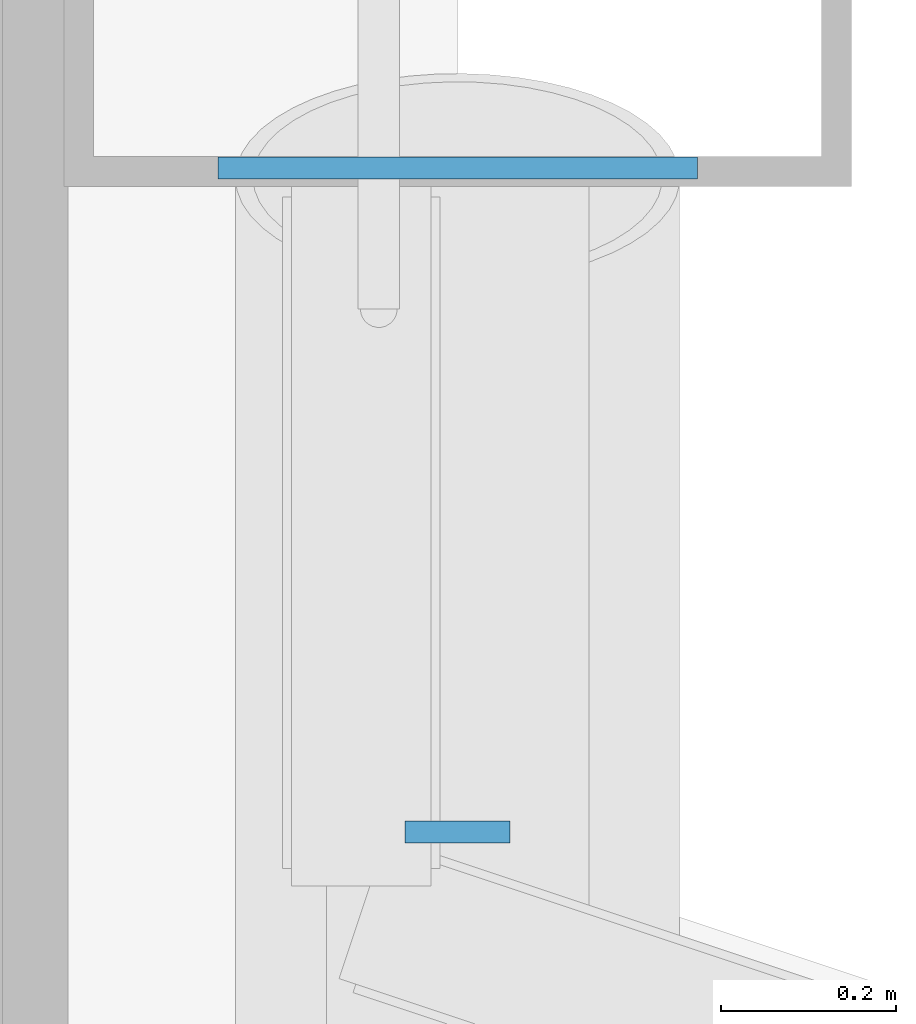
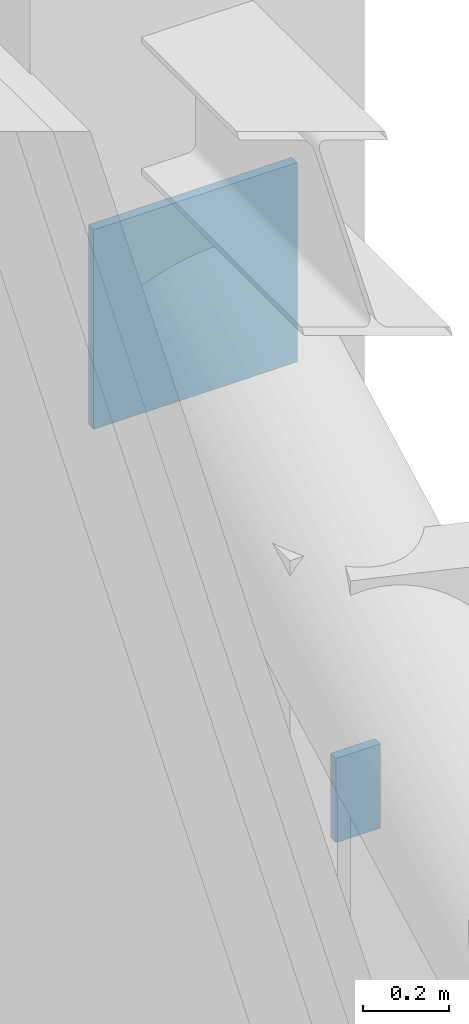
# One storey, part 11 of 19: 2 plates.
"""IFC4 building model written with IfcOpenShell, lengths in metres."""

import ifcopenshell
import ifcopenshell.guid

model = None  # the IFC model being written
_history = None  # IfcOwnerHistory: only IFC2X3 demands one
_inside = {}  # id of a spatial element -> (the spatial element, [elements in it])
_under = {}  # id of a project, library or spatial element -> (it, [spatial elements below it])
_declared = {}  # id of a project -> (the project, [libraries it declares])
_typed = {}  # id of a type object -> (the type object, [elements of that type])
_made_of = {}  # id of a material, layer set ... -> (it, [elements and type objects made of it])


def new_model(schema):
    """Start an empty IFC model of exactly this schema.

    Asked for "IFC4X3", IfcOpenShell would pick the latest addendum, in which some entities
    have other attributes; the version numbers below select the first issue.
    IFC2X3 requires an IfcOwnerHistory on every rooted entity: one is made here for all.
    """
    global model, _history
    if schema == "IFC4X3":
        model = ifcopenshell.file(schema_version=(4, 3, 0, 0))
    else:
        model = ifcopenshell.file(schema=schema)
    _inside.clear()
    _under.clear()
    _declared.clear()
    _typed.clear()
    _made_of.clear()
    _history = None
    if model.schema == "IFC2X3":
        org = make("IfcOrganization", Name="unknown")
        user = make(
            "IfcPersonAndOrganization",
            ThePerson=make("IfcPerson", FamilyName="unknown"),
            TheOrganization=org,
        )
        app = make(
            "IfcApplication",
            ApplicationDeveloper=org,
            Version="unknown",
            ApplicationFullName="unknown",
            ApplicationIdentifier="unknown",
        )
        _history = make(
            "IfcOwnerHistory",
            OwningUser=user,
            OwningApplication=app,
            ChangeAction="ADDED",
            CreationDate=0,
        )
    return model


def make(cls, **values):
    """One entity of the class cls with the attributes given. An attribute that is None is left unset."""
    return model.create_entity(
        cls, **{name: value for name, value in values.items() if value is not None}
    )


def rooted(cls, **values):
    """An entity with a GlobalId (a new one), such as an element, a storey or a relation."""
    return make(cls, GlobalId=ifcopenshell.guid.new(), OwnerHistory=_history, **values)


def si_unit(unit_type, name, prefix=None):
    """IfcSIUnit, for example si_unit("LENGTHUNIT", "METRE", prefix="MILLI")."""
    return make("IfcSIUnit", UnitType=unit_type, Prefix=prefix, Name=name)


def assignment(units):
    """IfcUnitAssignment: the units of a project."""
    return None if units is None else make("IfcUnitAssignment", Units=units)


def point(xyz):
    """IfcCartesianPoint."""
    return None if xyz is None else make("IfcCartesianPoint", Coordinates=xyz)


def direction(xyz):
    """IfcDirection."""
    return None if xyz is None else make("IfcDirection", DirectionRatios=xyz)


def frame(location, z_axis=None, x_axis=None):
    """IfcAxis2Placement3D, a coordinate frame: its origin and axes. An axis left out is left unset."""
    return make(
        "IfcAxis2Placement3D",
        Location=point(location),
        Axis=direction(z_axis),
        RefDirection=direction(x_axis),
    )


def frame_2d(location, x_axis=None):
    """IfcAxis2Placement2D, a coordinate frame in the plane: its origin and x axis."""
    return make(
        "IfcAxis2Placement2D", Location=point(location), RefDirection=direction(x_axis)
    )


def origin():
    """The frame at (0, 0, 0) with its axes left unset."""
    return frame((0.0, 0.0, 0.0))


def origin_2d():
    """The frame at (0, 0) in the plane with its x axis left unset."""
    return frame_2d((0.0, 0.0))


def place(relative_to, where):
    """IfcLocalPlacement: puts the frame where relative to a parent placement (None: the world)."""
    return make(
        "IfcLocalPlacement", PlacementRelTo=relative_to, RelativePlacement=where
    )


def context(
    kind, dimensions, precision=None, world=None, true_north=None, identifier=None
):
    """IfcGeometricRepresentationContext, for example the 3D "Model" context."""
    return make(
        "IfcGeometricRepresentationContext",
        ContextIdentifier=identifier,
        ContextType=kind,
        CoordinateSpaceDimension=dimensions,
        Precision=precision,
        WorldCoordinateSystem=world,
        TrueNorth=true_north,
    )


def subcontext(parent, identifier, kind, view, scale=None):
    """IfcGeometricRepresentationSubContext, for example "Body" below "Model"."""
    return make(
        "IfcGeometricRepresentationSubContext",
        ContextIdentifier=identifier,
        ContextType=kind,
        ParentContext=parent,
        TargetScale=scale,
        TargetView=view,
    )


def project(units=None, contexts=None):
    """IfcProject with its units and contexts."""
    return rooted(
        "IfcProject",
        Name="project",
        RepresentationContexts=contexts,
        UnitsInContext=assignment(units),
    )


def spatial(cls, under=None, at=None, **own):
    """A site, building, storey or space (cls), placed at a placement, below another one or the project."""
    s = rooted(cls, ObjectPlacement=at, **own)
    if under is not None:
        _under.setdefault(under.id(), (under, []))[1].append(s)
    return s


def profile(cls, at=None, kind="AREA", **sizes):
    """A parametric profile (cls). Its sizes go by their IFC names, for example OverallWidth=200.0."""
    return make(cls, ProfileType=kind, Position=at, **sizes)


def rectangle(**sizes):
    """IfcRectangleProfileDef."""
    return profile("IfcRectangleProfileDef", **sizes)


def extrude(swept, where, along, depth):
    """IfcExtrudedAreaSolid: the profile swept, set in the frame where, extruded along a direction by depth."""
    return make(
        "IfcExtrudedAreaSolid",
        SweptArea=swept,
        Position=where,
        ExtrudedDirection=direction(along),
        Depth=depth,
    )


def shape(context_of_items, identifier, shape_type, items):
    """IfcShapeRepresentation: the items that make up one representation, for example the "Body"."""
    return make(
        "IfcShapeRepresentation",
        ContextOfItems=context_of_items,
        RepresentationIdentifier=identifier,
        RepresentationType=shape_type,
        Items=items,
    )


def material(Name=None, Category=None):
    """IfcMaterial."""
    return make("IfcMaterial", Name=Name, Category=Category)


def layer(
    of_material, thickness, ventilated=None, Name=None, Category=None, Priority=None
):
    """IfcMaterialLayer: one layer of a wall or slab, of a material (None: an air gap)."""
    return make(
        "IfcMaterialLayer",
        Material=of_material,
        LayerThickness=thickness,
        IsVentilated=ventilated,
        Name=Name,
        Category=Category,
        Priority=Priority,
    )


def layer_set(layers, Name=None):
    """IfcMaterialLayerSet."""
    return make("IfcMaterialLayerSet", MaterialLayers=layers, LayerSetName=Name)


def made_of(thing, what):
    """Note that an element or type object is made of a material, layer set ...; save() writes the relation."""
    if what is not None:
        _made_of.setdefault(what.id(), (what, []))[1].append(thing)
    return thing


def type_object(cls, material=None, **own):
    """A type object (cls), such as IfcWallType, which elements share."""
    return made_of(rooted(cls, **own), material)


def element(
    cls,
    number,
    at=None,
    inside=None,
    cuts=None,
    type_object=None,
    material=None,
    context=None,
    identifier="Body",
    shape_type=None,
    held_by="IfcProductDefinitionShape",
    body=None,
    shapes=None,
    **own,
):
    """One element of the class cls, such as IfcWall. Its Tag is "e" and its number.

    at: its placement. inside: the storey or other place that contains it. cuts: it is an
    opening in that element (IfcRelVoidsElement). A single representation is given by context,
    identifier, shape_type and body (its items); several are given by shapes. held_by: the class
    of the entity that holds the representations. save() writes the other relations.
    """
    e = rooted(cls, Tag="e%d" % number, ObjectPlacement=at, **own)
    if body is not None:
        shapes = [shape(context, identifier, shape_type, body)]
    if shapes is not None:
        e.Representation = make(held_by, Representations=shapes)
    if inside is not None:
        _inside.setdefault(inside.id(), (inside, []))[1].append(e)
    if cuts is not None:
        rooted(
            "IfcRelVoidsElement", RelatingBuildingElement=cuts, RelatedOpeningElement=e
        )
    if type_object is not None:
        _typed.setdefault(type_object.id(), (type_object, []))[1].append(e)
    return made_of(e, material)


def aggregate(whole, parts):
    """IfcRelAggregates: a whole, such as a stair, and the parts it consists of."""
    return rooted("IfcRelAggregates", RelatingObject=whole, RelatedObjects=parts)


def save(model, path):
    """Write the relations noted so far, then the file.

    IfcRelAggregates (storeys below a building ...), IfcRelContainedInSpatialStructure (elements
    in a storey), IfcRelDefinesByType, IfcRelAssociatesMaterial and IfcRelDeclares: one each for
    every whole, place, type object, material and project.
    """
    for whole, parts in _under.values():
        aggregate(whole, parts)
    for where, things in _inside.values():
        rooted(
            "IfcRelContainedInSpatialStructure",
            RelatedElements=things,
            RelatingStructure=where,
        )
    for kind, things in _typed.values():
        rooted("IfcRelDefinesByType", RelatedObjects=things, RelatingType=kind)
    for what, things in _made_of.values():
        rooted("IfcRelAssociatesMaterial", RelatedObjects=things, RelatingMaterial=what)
    for by, libraries in _declared.values():
        rooted("IfcRelDeclares", RelatingContext=by, RelatedDefinitions=libraries)
    model.write(path)


model = new_model("IFC4")

# Units and contexts
model_context = context("Model", 3, precision=1e-05, world=origin(), true_north=direction((0.0, 1.0)))
body_context = subcontext(model_context, "Body", "Model", "MODEL_VIEW")
ifc_project = project(units=[si_unit("LENGTHUNIT", "METRE"), si_unit("AREAUNIT", "SQUARE_METRE"), si_unit("VOLUMEUNIT", "CUBIC_METRE"), si_unit("PLANEANGLEUNIT", "RADIAN"), si_unit("MASSUNIT", "GRAM", prefix="KILO")], contexts=[model_context])

# Site, building, storey
site_placement = place(None, origin())
site = spatial("IfcSite", under=ifc_project, at=site_placement, CompositionType="ELEMENT")
building_placement = place(site_placement, origin())
building = spatial("IfcBuilding", under=site, at=building_placement, Name="Haolan Belvedere Tower", CompositionType="ELEMENT")
storey_placement = place(building_placement, frame((0.0, 0.0, 230.60009765625)))
storey = spatial("IfcBuildingStorey", under=building, at=storey_placement, Name="L58", CompositionType="ELEMENT", Elevation=230.60009765625)

# Plates
ifc_material = material(Name="Steel Q355B", Category="steel")
ifc_layer = layer(ifc_material, 0.02490234375, Name="Steel Q355B")
ifc_layer_set = layer_set([ifc_layer], Name="Steel Q355B")
plate_type = type_object("IfcPlateType", Name="PL-CAP-25", PredefinedType="SHEET", material=ifc_layer_set)
plate_1_placement = place(storey_placement, frame((52.800048828125, 45.171142578125, 3.271484375), z_axis=(0.0, 0.0, 1.0), x_axis=(-1.0, 0.0, 0.0)))
element("IfcPlate", 1, at=plate_1_placement, inside=storey, type_object=plate_type, Name="Hollow steel end-cap plate BT-E4-L58-CAP1", PredefinedType="SHEET", context=body_context, shape_type="SweptSolid", body=[
    extrude(rectangle(XDim=0.548095703125, YDim=0.02490234375, at=origin_2d()), origin(), (0.0, 0.0, 1.0), 0.568115234375),
])
plate_2_placement = place(storey_placement, frame((52.800048828125, 44.41259765625, 2.47998046875), z_axis=(0.0, 0.0, 1.0), x_axis=(-1.0, 0.0, 0.0)))
element("IfcPlate", 2, at=plate_2_placement, inside=storey, type_object=plate_type, Name="Hollow steel end-cap plate GIRT-L58-GE-CAP1", PredefinedType="SHEET", context=body_context, shape_type="SweptSolid", body=[
    extrude(rectangle(XDim=0.1201171875, YDim=0.02490234375, at=origin_2d()), origin(), (0.0, 0.0, 1.0), 0.239990234375),
])

save(model, "model.ifc")
